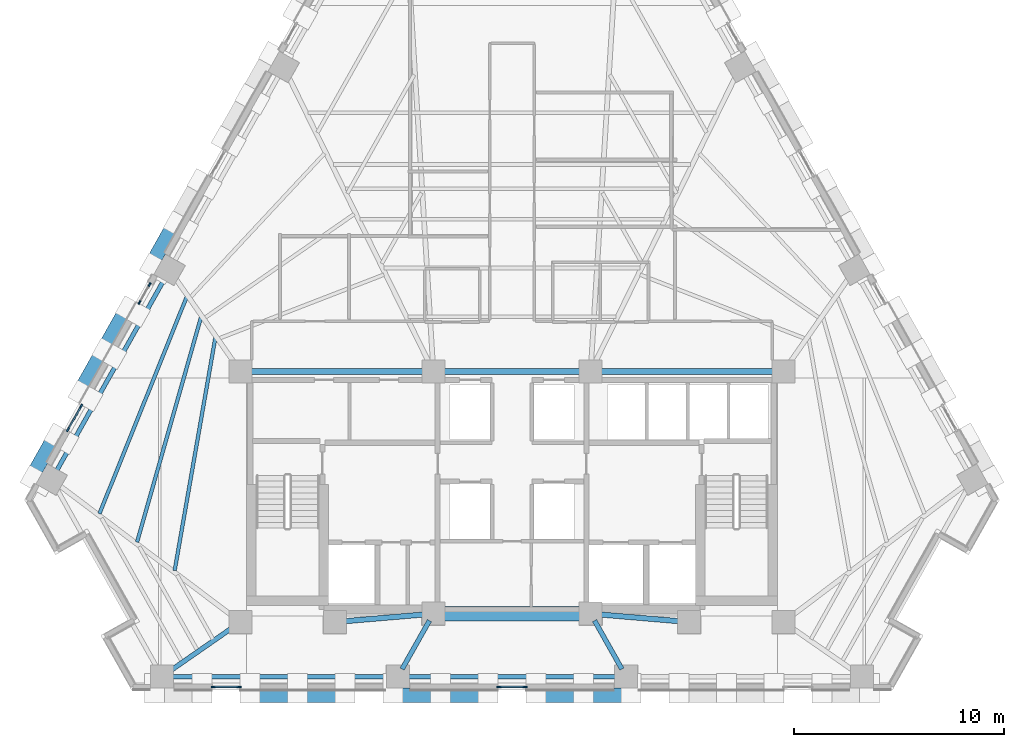
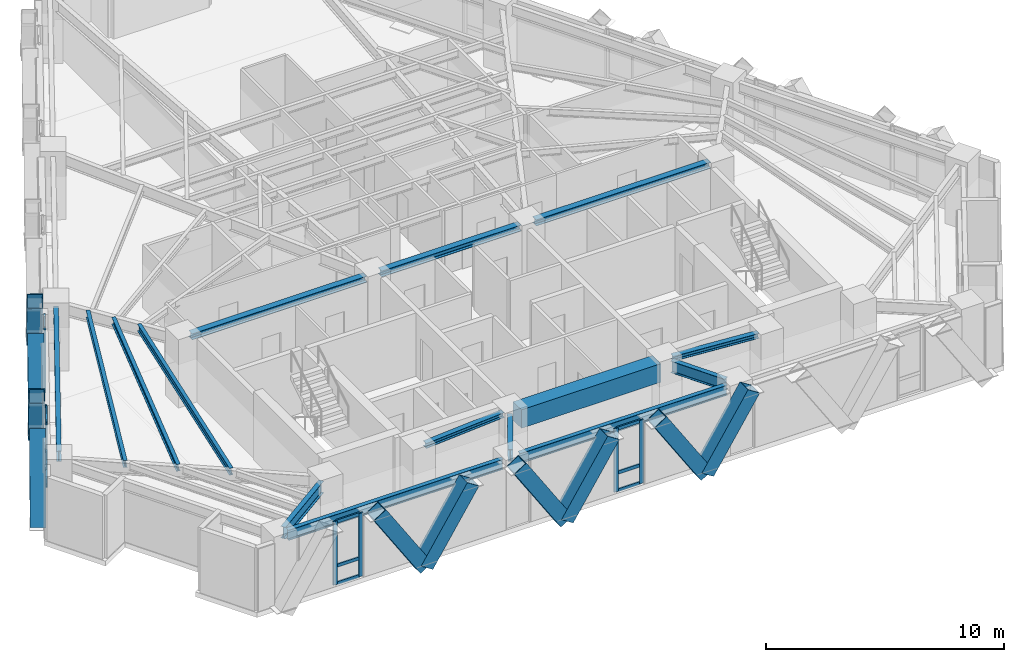
# One storey, part 2 of 13: 27 members, 15 beams, 4 elements without a shape of their own.
"""IFC4 building model written with IfcOpenShell, lengths in metres."""

import ifcopenshell
import ifcopenshell.guid

model = None  # the IFC model being written
_history = None  # IfcOwnerHistory: only IFC2X3 demands one
_inside = {}  # id of a spatial element -> (the spatial element, [elements in it])
_under = {}  # id of a project, library or spatial element -> (it, [spatial elements below it])
_declared = {}  # id of a project -> (the project, [libraries it declares])
_typed = {}  # id of a type object -> (the type object, [elements of that type])
_made_of = {}  # id of a material, layer set ... -> (it, [elements and type objects made of it])


def new_model(schema):
    """Start an empty IFC model of exactly this schema.

    Asked for "IFC4X3", IfcOpenShell would pick the latest addendum, in which some entities
    have other attributes; the version numbers below select the first issue.
    IFC2X3 requires an IfcOwnerHistory on every rooted entity: one is made here for all.
    """
    global model, _history
    if schema == "IFC4X3":
        model = ifcopenshell.file(schema_version=(4, 3, 0, 0))
    else:
        model = ifcopenshell.file(schema=schema)
    _inside.clear()
    _under.clear()
    _declared.clear()
    _typed.clear()
    _made_of.clear()
    _history = None
    if model.schema == "IFC2X3":
        org = make("IfcOrganization", Name="unknown")
        user = make(
            "IfcPersonAndOrganization",
            ThePerson=make("IfcPerson", FamilyName="unknown"),
            TheOrganization=org,
        )
        app = make(
            "IfcApplication",
            ApplicationDeveloper=org,
            Version="unknown",
            ApplicationFullName="unknown",
            ApplicationIdentifier="unknown",
        )
        _history = make(
            "IfcOwnerHistory",
            OwningUser=user,
            OwningApplication=app,
            ChangeAction="ADDED",
            CreationDate=0,
        )
    return model


def make(cls, **values):
    """One entity of the class cls with the attributes given. An attribute that is None is left unset."""
    return model.create_entity(
        cls, **{name: value for name, value in values.items() if value is not None}
    )


def rooted(cls, **values):
    """An entity with a GlobalId (a new one), such as an element, a storey or a relation."""
    return make(cls, GlobalId=ifcopenshell.guid.new(), OwnerHistory=_history, **values)


def si_unit(unit_type, name, prefix=None):
    """IfcSIUnit, for example si_unit("LENGTHUNIT", "METRE", prefix="MILLI")."""
    return make("IfcSIUnit", UnitType=unit_type, Prefix=prefix, Name=name)


def assignment(units):
    """IfcUnitAssignment: the units of a project."""
    return None if units is None else make("IfcUnitAssignment", Units=units)


def point(xyz):
    """IfcCartesianPoint."""
    return None if xyz is None else make("IfcCartesianPoint", Coordinates=xyz)


def direction(xyz):
    """IfcDirection."""
    return None if xyz is None else make("IfcDirection", DirectionRatios=xyz)


def frame(location, z_axis=None, x_axis=None):
    """IfcAxis2Placement3D, a coordinate frame: its origin and axes. An axis left out is left unset."""
    return make(
        "IfcAxis2Placement3D",
        Location=point(location),
        Axis=direction(z_axis),
        RefDirection=direction(x_axis),
    )


def frame_2d(location, x_axis=None):
    """IfcAxis2Placement2D, a coordinate frame in the plane: its origin and x axis."""
    return make(
        "IfcAxis2Placement2D", Location=point(location), RefDirection=direction(x_axis)
    )


def origin():
    """The frame at (0, 0, 0) with its axes left unset."""
    return frame((0.0, 0.0, 0.0))


def origin_2d():
    """The frame at (0, 0) in the plane with its x axis left unset."""
    return frame_2d((0.0, 0.0))


def place(relative_to, where):
    """IfcLocalPlacement: puts the frame where relative to a parent placement (None: the world)."""
    return make(
        "IfcLocalPlacement", PlacementRelTo=relative_to, RelativePlacement=where
    )


def context(
    kind, dimensions, precision=None, world=None, true_north=None, identifier=None
):
    """IfcGeometricRepresentationContext, for example the 3D "Model" context."""
    return make(
        "IfcGeometricRepresentationContext",
        ContextIdentifier=identifier,
        ContextType=kind,
        CoordinateSpaceDimension=dimensions,
        Precision=precision,
        WorldCoordinateSystem=world,
        TrueNorth=true_north,
    )


def subcontext(parent, identifier, kind, view, scale=None):
    """IfcGeometricRepresentationSubContext, for example "Body" below "Model"."""
    return make(
        "IfcGeometricRepresentationSubContext",
        ContextIdentifier=identifier,
        ContextType=kind,
        ParentContext=parent,
        TargetScale=scale,
        TargetView=view,
    )


def project(units=None, contexts=None):
    """IfcProject with its units and contexts."""
    return rooted(
        "IfcProject",
        Name="project",
        RepresentationContexts=contexts,
        UnitsInContext=assignment(units),
    )


def spatial(cls, under=None, at=None, **own):
    """A site, building, storey or space (cls), placed at a placement, below another one or the project."""
    s = rooted(cls, ObjectPlacement=at, **own)
    if under is not None:
        _under.setdefault(under.id(), (under, []))[1].append(s)
    return s


def profile(cls, at=None, kind="AREA", **sizes):
    """A parametric profile (cls). Its sizes go by their IFC names, for example OverallWidth=200.0."""
    return make(cls, ProfileType=kind, Position=at, **sizes)


def rectangle(**sizes):
    """IfcRectangleProfileDef."""
    return profile("IfcRectangleProfileDef", **sizes)


def hollow_rectangle(**sizes):
    """IfcRectangleHollowProfileDef."""
    return profile("IfcRectangleHollowProfileDef", **sizes)


def i_section(**sizes):
    """IfcIShapeProfileDef."""
    return profile("IfcIShapeProfileDef", **sizes)


def extrude(swept, where, along, depth):
    """IfcExtrudedAreaSolid: the profile swept, set in the frame where, extruded along a direction by depth."""
    return make(
        "IfcExtrudedAreaSolid",
        SweptArea=swept,
        Position=where,
        ExtrudedDirection=direction(along),
        Depth=depth,
    )


def shape(context_of_items, identifier, shape_type, items):
    """IfcShapeRepresentation: the items that make up one representation, for example the "Body"."""
    return make(
        "IfcShapeRepresentation",
        ContextOfItems=context_of_items,
        RepresentationIdentifier=identifier,
        RepresentationType=shape_type,
        Items=items,
    )


def material(Name=None, Category=None):
    """IfcMaterial."""
    return make("IfcMaterial", Name=Name, Category=Category)


def material_profile(
    of_material, cross_section, Name=None, Category=None, Priority=None
):
    """IfcMaterialProfile: a cross section and its material."""
    return make(
        "IfcMaterialProfile",
        Name=Name,
        Material=of_material,
        Profile=cross_section,
        Priority=Priority,
        Category=Category,
    )


def profile_set(profiles, Name=None, composite=None):
    """IfcMaterialProfileSet."""
    return make(
        "IfcMaterialProfileSet",
        Name=Name,
        MaterialProfiles=profiles,
        CompositeProfile=composite,
    )


def made_of(thing, what):
    """Note that an element or type object is made of a material, layer set ...; save() writes the relation."""
    if what is not None:
        _made_of.setdefault(what.id(), (what, []))[1].append(thing)
    return thing


def type_object(cls, material=None, **own):
    """A type object (cls), such as IfcWallType, which elements share."""
    return made_of(rooted(cls, **own), material)


def element(
    cls,
    number,
    at=None,
    inside=None,
    cuts=None,
    type_object=None,
    material=None,
    context=None,
    identifier="Body",
    shape_type=None,
    held_by="IfcProductDefinitionShape",
    body=None,
    shapes=None,
    **own,
):
    """One element of the class cls, such as IfcWall. Its Tag is "e" and its number.

    at: its placement. inside: the storey or other place that contains it. cuts: it is an
    opening in that element (IfcRelVoidsElement). A single representation is given by context,
    identifier, shape_type and body (its items); several are given by shapes. held_by: the class
    of the entity that holds the representations. save() writes the other relations.
    """
    e = rooted(cls, Tag="e%d" % number, ObjectPlacement=at, **own)
    if body is not None:
        shapes = [shape(context, identifier, shape_type, body)]
    if shapes is not None:
        e.Representation = make(held_by, Representations=shapes)
    if inside is not None:
        _inside.setdefault(inside.id(), (inside, []))[1].append(e)
    if cuts is not None:
        rooted(
            "IfcRelVoidsElement", RelatingBuildingElement=cuts, RelatedOpeningElement=e
        )
    if type_object is not None:
        _typed.setdefault(type_object.id(), (type_object, []))[1].append(e)
    return made_of(e, material)


def aggregate(whole, parts):
    """IfcRelAggregates: a whole, such as a stair, and the parts it consists of."""
    return rooted("IfcRelAggregates", RelatingObject=whole, RelatedObjects=parts)


def save(model, path):
    """Write the relations noted so far, then the file.

    IfcRelAggregates (storeys below a building ...), IfcRelContainedInSpatialStructure (elements
    in a storey), IfcRelDefinesByType, IfcRelAssociatesMaterial and IfcRelDeclares: one each for
    every whole, place, type object, material and project.
    """
    for whole, parts in _under.values():
        aggregate(whole, parts)
    for where, things in _inside.values():
        rooted(
            "IfcRelContainedInSpatialStructure",
            RelatedElements=things,
            RelatingStructure=where,
        )
    for kind, things in _typed.values():
        rooted("IfcRelDefinesByType", RelatedObjects=things, RelatingType=kind)
    for what, things in _made_of.values():
        rooted("IfcRelAssociatesMaterial", RelatedObjects=things, RelatingMaterial=what)
    for by, libraries in _declared.values():
        rooted("IfcRelDeclares", RelatingContext=by, RelatedDefinitions=libraries)
    model.write(path)


model = new_model("IFC4")

# Units and contexts
model_context = context("Model", 3, precision=1e-05, world=origin(), true_north=direction((0.0, 1.0)))
body_context = subcontext(model_context, "Body", "Model", "MODEL_VIEW")
ifc_project = project(units=[si_unit("LENGTHUNIT", "METRE"), si_unit("AREAUNIT", "SQUARE_METRE"), si_unit("VOLUMEUNIT", "CUBIC_METRE"), si_unit("PLANEANGLEUNIT", "RADIAN"), si_unit("MASSUNIT", "GRAM", prefix="KILO")], contexts=[model_context])

# Site, building, storey
site_placement = place(None, origin())
site = spatial("IfcSite", under=ifc_project, at=site_placement, CompositionType="ELEMENT")
building_placement = place(site_placement, origin())
building = spatial("IfcBuilding", under=site, at=building_placement, Name="Quenlor Broadcast Tower", CompositionType="ELEMENT")
storey_placement = place(building_placement, frame((0.0, 0.0, 109.0)))
storey = spatial("IfcBuildingStorey", under=building, at=storey_placement, Name="L29", CompositionType="ELEMENT", Elevation=109.0)

# Curtain wall, members
ifc_material_1 = material(Name="Architectural Terracotta and Low-E Glazing", Category="masonry")
curtain_wall_type = type_object("IfcCurtainWallType", Name="Unitised Terracotta Curtain Wall System Z2", PredefinedType="NOTDEFINED", material=ifc_material_1)
curtain_wall_1_placement = place(storey_placement, origin())
curtain_wall_1 = element("IfcCurtainWall", 1, at=curtain_wall_1_placement, inside=storey, type_object=curtain_wall_type, Name="L29 Curtain Wall CW2 (L29-SC-G1)", PredefinedType="NOTDEFINED")
ifc_material_2 = material(Name="Aluminium 6063-T6", Category="aluminium")
ifc_material_profile_1 = material_profile(ifc_material_2, rectangle(XDim=0.074951171875, YDim=0.199951171875, at=origin_2d()))
ifc_profile_set_1 = profile_set([ifc_material_profile_1], Name="Aluminium 6063-T6 MULL75x200")
member_type_1 = type_object("IfcMemberType", Name="CW2 Aluminium Mullion MULL_CW2", PredefinedType="MULLION", material=ifc_profile_set_1)
member_1_placement = place(storey_placement, frame((-13.01611328125, -19.840087890625, 0.0), z_axis=(0.0, 0.0, 1.0), x_axis=(0.0, -1.0, 0.0)))
member_1 = element("IfcMember", 2, at=member_1_placement, type_object=member_type_1, Name="CW2 mullion 1", PredefinedType="MULLION", context=body_context, shape_type="SweptSolid", body=[
    extrude(rectangle(XDim=0.074951171875, YDim=0.199951171875, at=origin_2d()), origin(), (0.0, 0.0, 1.0), 3.25),
])
member_2_placement = place(storey_placement, frame((-14.254150390625, -19.840087890625, 0.0), z_axis=(0.0, 0.0, 1.0), x_axis=(0.0, -1.0, 0.0)))
member_2 = element("IfcMember", 3, at=member_2_placement, type_object=member_type_1, Name="CW2 mullion 2", PredefinedType="MULLION", context=body_context, shape_type="SweptSolid", body=[
    extrude(rectangle(XDim=0.074951171875, YDim=0.199951171875, at=origin_2d()), origin(), (0.0, 0.0, 1.0), 3.25),
])

curtain_wall_2_placement = place(storey_placement, origin())
curtain_wall_2 = element("IfcCurtainWall", 4, at=curtain_wall_2_placement, inside=storey, type_object=curtain_wall_type, Name="L29 Curtain Wall CW2 (L29-S-G1)", PredefinedType="NOTDEFINED")
member_3_placement = place(storey_placement, frame((0.618896484375, -19.840087890625, 0.0), z_axis=(0.0, 0.0, 1.0), x_axis=(0.0, -1.0, 0.0)))
member_3 = element("IfcMember", 5, at=member_3_placement, type_object=member_type_1, Name="CW2 mullion 1", PredefinedType="MULLION", context=body_context, shape_type="SweptSolid", body=[
    extrude(rectangle(XDim=0.074951171875, YDim=0.199951171875, at=origin_2d()), origin(), (0.0, 0.0, 1.0), 3.25),
])
member_4_placement = place(storey_placement, frame((-0.618896484375, -19.840087890625, 0.0), z_axis=(0.0, 0.0, 1.0), x_axis=(0.0, -1.0, 0.0)))
member_4 = element("IfcMember", 6, at=member_4_placement, type_object=member_type_1, Name="CW2 mullion 2", PredefinedType="MULLION", context=body_context, shape_type="SweptSolid", body=[
    extrude(rectangle(XDim=0.074951171875, YDim=0.199951171875, at=origin_2d()), origin(), (0.0, 0.0, 1.0), 3.25),
])

curtain_wall_3_placement = place(storey_placement, origin())
curtain_wall_3 = element("IfcCurtainWall", 7, at=curtain_wall_3_placement, inside=storey, type_object=curtain_wall_type, Name="L29 Curtain Wall CW2 (L29-NWA-G1)", PredefinedType="NOTDEFINED")
member_5_placement = place(storey_placement, frame((-21.177734375, -7.57568359375, 0.0), z_axis=(0.0, 0.0, 1.0), x_axis=(-0.871565749621, 0.490278639232, 0.0)))
member_5 = element("IfcMember", 8, at=member_5_placement, type_object=member_type_1, Name="CW2 mullion 1", PredefinedType="MULLION", context=body_context, shape_type="SweptSolid", body=[
    extrude(rectangle(XDim=0.074951171875, YDim=0.199951171875, at=origin_2d()), origin(), (0.0, 0.0, 1.0), 3.25),
])
member_6_placement = place(storey_placement, frame((-20.545654296875, -6.451904296875, 0.0), z_axis=(0.0, 0.0, 1.0), x_axis=(-0.871565749621, 0.490278639232, 0.0)))
member_6 = element("IfcMember", 9, at=member_6_placement, type_object=member_type_1, Name="CW2 mullion 2", PredefinedType="MULLION", context=body_context, shape_type="SweptSolid", body=[
    extrude(rectangle(XDim=0.074951171875, YDim=0.199951171875, at=origin_2d()), origin(), (0.0, 0.0, 1.0), 3.25),
])

curtain_wall_4_placement = place(storey_placement, origin())
curtain_wall_4 = element("IfcCurtainWall", 10, at=curtain_wall_4_placement, inside=storey, type_object=curtain_wall_type, Name="L29 Curtain Wall CW2 (L29-NWA-G2)", PredefinedType="NOTDEFINED")
member_7_placement = place(storey_placement, frame((-17.7646484375, -1.508056640625, 0.0), z_axis=(0.0, 0.0, 1.0), x_axis=(-0.871580587336, 0.490252261371, 0.0)))
member_7 = element("IfcMember", 11, at=member_7_placement, type_object=member_type_1, Name="CW2 mullion 1", PredefinedType="MULLION", context=body_context, shape_type="SweptSolid", body=[
    extrude(rectangle(XDim=0.074951171875, YDim=0.199951171875, at=origin_2d()), origin(), (0.0, 0.0, 1.0), 3.25),
])
member_8_placement = place(storey_placement, frame((-17.282958984375, -0.651611328125, 0.0), z_axis=(0.0, 0.0, 1.0), x_axis=(-0.871580587336, 0.490252261371, 0.0)))
member_8 = element("IfcMember", 12, at=member_8_placement, type_object=member_type_1, Name="CW2 mullion 2", PredefinedType="MULLION", context=body_context, shape_type="SweptSolid", body=[
    extrude(rectangle(XDim=0.074951171875, YDim=0.199951171875, at=origin_2d()), origin(), (0.0, 0.0, 1.0), 3.25),
])
aggregate(curtain_wall_4, [member_7, member_8])

# Member
ifc_material_3 = material(Name="Aluminium 6063-T6", Category="aluminium")
ifc_material_profile_2 = material_profile(ifc_material_3, rectangle(XDim=0.074951171875, YDim=0.1650390625, at=origin_2d()))
ifc_profile_set_2 = profile_set([ifc_material_profile_2], Name="Aluminium 6063-T6 TRAN75x165")
member_type_2 = type_object("IfcMemberType", Name="CW2 Aluminium Transom TRAN_CW2", PredefinedType="USERDEFINED", material=ifc_profile_set_2)
member_9_placement = place(storey_placement, frame((-13.0537109375, -19.840087890625, 0.03759765625), z_axis=(-1.0, 0.0, 0.0), x_axis=(0.0, -1.0, 0.0)))
member_9 = element("IfcMember", 13, at=member_9_placement, type_object=member_type_2, Name="CW2 transom 1.1", ObjectType="TRANSOM", PredefinedType="USERDEFINED", context=body_context, shape_type="SweptSolid", body=[
    extrude(rectangle(XDim=0.074951171875, YDim=0.1650390625, at=origin_2d()), origin(), (0.0, 0.0, 1.0), 1.1630859375),
])

member_10_placement = place(storey_placement, frame((-13.0537109375, -19.840087890625, 0.949951171875), z_axis=(-1.0, 0.0, 0.0), x_axis=(0.0, -1.0, 0.0)))
member_10 = element("IfcMember", 14, at=member_10_placement, type_object=member_type_2, Name="CW2 transom 1.2", ObjectType="TRANSOM", PredefinedType="USERDEFINED", context=body_context, shape_type="SweptSolid", body=[
    extrude(rectangle(XDim=0.074951171875, YDim=0.1650390625, at=origin_2d()), origin(), (0.0, 0.0, 1.0), 1.1630859375),
])

member_11_placement = place(storey_placement, frame((-13.0537109375, -19.840087890625, 3.21240234375), z_axis=(-1.0, 0.0, 0.0), x_axis=(0.0, -1.0, 0.0)))
member_11 = element("IfcMember", 15, at=member_11_placement, type_object=member_type_2, Name="CW2 transom 1.3", ObjectType="TRANSOM", PredefinedType="USERDEFINED", context=body_context, shape_type="SweptSolid", body=[
    extrude(rectangle(XDim=0.074951171875, YDim=0.1650390625, at=origin_2d()), origin(), (0.0, 0.0, 1.0), 1.1630859375),
])

aggregate(curtain_wall_1, [member_1, member_2, member_9, member_10, member_11])

member_12_placement = place(storey_placement, frame((0.58154296875, -19.840087890625, 0.03759765625), z_axis=(-1.0, 0.0, 0.0), x_axis=(0.0, -1.0, 0.0)))
member_12 = element("IfcMember", 16, at=member_12_placement, type_object=member_type_2, Name="CW2 transom 1.1", ObjectType="TRANSOM", PredefinedType="USERDEFINED", context=body_context, shape_type="SweptSolid", body=[
    extrude(rectangle(XDim=0.074951171875, YDim=0.1650390625, at=origin_2d()), origin(), (0.0, 0.0, 1.0), 1.1630859375),
])

member_13_placement = place(storey_placement, frame((0.58154296875, -19.840087890625, 0.949951171875), z_axis=(-1.0, 0.0, 0.0), x_axis=(0.0, -1.0, 0.0)))
member_13 = element("IfcMember", 17, at=member_13_placement, type_object=member_type_2, Name="CW2 transom 1.2", ObjectType="TRANSOM", PredefinedType="USERDEFINED", context=body_context, shape_type="SweptSolid", body=[
    extrude(rectangle(XDim=0.074951171875, YDim=0.1650390625, at=origin_2d()), origin(), (0.0, 0.0, 1.0), 1.1630859375),
])

member_14_placement = place(storey_placement, frame((0.58154296875, -19.840087890625, 3.21240234375), z_axis=(-1.0, 0.0, 0.0), x_axis=(0.0, -1.0, 0.0)))
member_14 = element("IfcMember", 18, at=member_14_placement, type_object=member_type_2, Name="CW2 transom 1.3", ObjectType="TRANSOM", PredefinedType="USERDEFINED", context=body_context, shape_type="SweptSolid", body=[
    extrude(rectangle(XDim=0.074951171875, YDim=0.1650390625, at=origin_2d()), origin(), (0.0, 0.0, 1.0), 1.1630859375),
])

aggregate(curtain_wall_2, [member_3, member_4, member_12, member_13, member_14])

member_15_placement = place(storey_placement, frame((-21.159423828125, -7.54296875, 0.03759765625), z_axis=(0.490347143438, 0.871527210661, 0.0), x_axis=(-0.871527210661, 0.490347143438, 0.0)))
member_15 = element("IfcMember", 19, at=member_15_placement, type_object=member_type_2, Name="CW2 transom 1.1", ObjectType="TRANSOM", PredefinedType="USERDEFINED", context=body_context, shape_type="SweptSolid", body=[
    extrude(rectangle(XDim=0.074951171875, YDim=0.1650390625, at=origin_2d()), origin(), (0.0, 0.0, 1.0), 1.21435546875),
])

member_16_placement = place(storey_placement, frame((-21.159423828125, -7.54296875, 0.949951171875), z_axis=(0.490347143438, 0.871527210661, 0.0), x_axis=(-0.871527210661, 0.490347143438, 0.0)))
member_16 = element("IfcMember", 20, at=member_16_placement, type_object=member_type_2, Name="CW2 transom 1.2", ObjectType="TRANSOM", PredefinedType="USERDEFINED", context=body_context, shape_type="SweptSolid", body=[
    extrude(rectangle(XDim=0.074951171875, YDim=0.1650390625, at=origin_2d()), origin(), (0.0, 0.0, 1.0), 1.21435546875),
])

member_17_placement = place(storey_placement, frame((-21.159423828125, -7.54296875, 3.21240234375), z_axis=(0.490347143438, 0.871527210661, 0.0), x_axis=(-0.871527210661, 0.490347143438, 0.0)))
member_17 = element("IfcMember", 21, at=member_17_placement, type_object=member_type_2, Name="CW2 transom 1.3", ObjectType="TRANSOM", PredefinedType="USERDEFINED", context=body_context, shape_type="SweptSolid", body=[
    extrude(rectangle(XDim=0.074951171875, YDim=0.1650390625, at=origin_2d()), origin(), (0.0, 0.0, 1.0), 1.21435546875),
])

aggregate(curtain_wall_3, [member_5, member_6, member_15, member_16, member_17])

# Beams
ifc_material_4 = material(Name="Concrete C50/60", Category="concrete")
ifc_material_profile_3 = material_profile(ifc_material_4, rectangle(XDim=0.699951171875, YDim=0.949951171875, at=origin_2d()))
ifc_profile_set_3 = profile_set([ifc_material_profile_3], Name="Concrete C50/60 RCB700x950")
beam_type_1 = type_object("IfcBeamType", Name="Core Coupling Beam Concrete C50/60 700x950", PredefinedType="BEAM", material=ifc_profile_set_3)
beam_1_placement = place(storey_placement, frame((-3.389892578125, -16.35009765625, 2.77490234375), z_axis=(1.0, 0.0, 0.0), x_axis=(0.0, 1.0, 0.0)))
element("IfcBeam", 22, at=beam_1_placement, inside=storey, type_object=beam_type_1, Name="L29 Core Coupling Beam 6", PredefinedType="BEAM", context=body_context, shape_type="SweptSolid", body=[
    extrude(rectangle(XDim=0.699951171875, YDim=0.949951171875, at=origin_2d()), origin(), (0.0, 0.0, 1.0), 6.77978515625),
])
ifc_material_5 = material(Name="Steel S355", Category="steel")
ifc_material_profile_4 = material_profile(ifc_material_5, i_section(OverallWidth=0.304931640625, OverallDepth=0.30810546875, WebThickness=0.010009765625, FlangeThickness=0.015380859375, FilletRadius=0.0166015625, at=origin_2d()))
ifc_profile_set_4 = profile_set([ifc_material_profile_4], Name="Steel S355 310UC96.8")
beam_type_2 = type_object("IfcBeamType", Name="Core Header Beam Steel S355 310UC96.8", PredefinedType="BEAM", material=ifc_profile_set_4)
beam_2_placement = place(storey_placement, frame((-3.389892578125, -4.800048828125, 3.095947265625), z_axis=(1.0, 0.0, 0.0), x_axis=(0.0, 1.0, 0.0)))
element("IfcBeam", 23, at=beam_2_placement, inside=storey, type_object=beam_type_2, Name="L29 Core Header Beam 2", PredefinedType="BEAM", context=body_context, shape_type="SweptSolid", body=[
    extrude(i_section(OverallWidth=0.304931640625, OverallDepth=0.30810546875, WebThickness=0.010009765625, FlangeThickness=0.015380859375, FilletRadius=0.0166015625, at=origin_2d()), origin(), (0.0, 0.0, 1.0), 6.77978515625),
])
ifc_material_6 = material(Name="Steel S355", Category="steel")
ifc_material_profile_5 = material_profile(ifc_material_6, i_section(OverallWidth=0.25390625, OverallDepth=0.25390625, WebThickness=0.008544921875, FlangeThickness=0.01416015625, FilletRadius=0.013916015625, at=origin_2d()))
ifc_profile_set_5 = profile_set([ifc_material_profile_5], Name="Steel S355 250UC72.9")
beam_type_3 = type_object("IfcBeamType", Name="Core Opening Lintel Beam Steel S355 250UC72.9", PredefinedType="LINTEL", material=ifc_profile_set_5)
for number, where, z_axis, x_axis, name in (
    (24, (-8.09130859375, -16.719482421875, 3.123046875), (0.996399763903, 0.084779186679, 0.0), (-0.084779186679, 0.996399763903, 0.0), "L29 Core Opening Lintel Beam 4"),
    (25, (4.108642578125, -16.380615234375, 3.123046875), (0.996399763903, -0.084779186679, 0.0), (0.084779186679, 0.996399763903, 0.0), "L29 Core Opening Lintel Beam 5"),
):
    element("IfcBeam", number, at=place(storey_placement, frame(where, z_axis=z_axis, x_axis=x_axis)), inside=storey, type_object=beam_type_3, Name=name, PredefinedType="LINTEL", context=body_context, shape_type="SweptSolid", body=[
        extrude(i_section(OverallWidth=0.25390625, OverallDepth=0.25390625, WebThickness=0.008544921875, FlangeThickness=0.01416015625, FilletRadius=0.013916015625, at=origin_2d()), origin(), (0.0, 0.0, 1.0), 3.9970703125),
    ])
ifc_material_7 = material(Name="Steel S355", Category="steel")
ifc_material_profile_6 = material_profile(ifc_material_7, i_section(OverallWidth=0.306884765625, OverallDepth=0.314697265625, WebThickness=0.011962890625, FlangeThickness=0.018798828125, FilletRadius=0.0166015625, at=origin_2d()))
ifc_profile_set_6 = profile_set([ifc_material_profile_6], Name="Steel S355 310UC118")
beam_type_4 = type_object("IfcBeamType", Name="Core Tie Beam Steel S355 310UC118", PredefinedType="BEAM", material=ifc_profile_set_6)
for number, where, z_axis, x_axis, name in (
    (26, (-12.590087890625, -4.800048828125, 3.0927734375), (1.0, 0.0, 0.0), (0.0, 1.0, 0.0), "L29 Core Tie Beam 1"),
    (27, (4.110107421875, -4.800048828125, 3.0927734375), (1.0, 0.0, 0.0), (0.0, 1.0, 0.0), "L29 Core Tie Beam 3"),
):
    element("IfcBeam", number, at=place(storey_placement, frame(where, z_axis=z_axis, x_axis=x_axis)), inside=storey, type_object=beam_type_4, Name=name, PredefinedType="BEAM", context=body_context, shape_type="SweptSolid", body=[
        extrude(i_section(OverallWidth=0.306884765625, OverallDepth=0.314697265625, WebThickness=0.011962890625, FlangeThickness=0.018798828125, FilletRadius=0.0166015625, at=origin_2d()), origin(), (0.0, 0.0, 1.0), 8.47998046875),
    ])

# Members
ifc_material_8 = material(Name="Steel S355", Category="steel")
ifc_material_profile_7 = material_profile(ifc_material_8, hollow_rectangle(XDim=0.679931640625, YDim=0.679931640625, WallThickness=0.030029296875, at=origin_2d()))
ifc_profile_set_7 = profile_set([ifc_material_profile_7], Name="Steel S355 RHS680x680x30")
member_type_3 = type_object("IfcMemberType", Name="Perimeter Diagonal Lattice Brace Z2 Steel S355 RHS680x30", PredefinedType="BRACE", material=ifc_profile_set_7)
for number, where, z_axis, x_axis, name in (
    (28, (3.42236328125, -20.235107421875, -0.1201171875), (0.539968035679, 0.0, 0.841685523485), (0.0, 1.0, 0.0), "L29 Perimeter Diamond Lattice S-C2B"),
    (29, (3.395263671875, -20.235107421875, -0.1201171875), (-0.539968035679, 0.0, 0.841685523485), (0.0, -1.0, 0.0), "L29 Perimeter Diamond Lattice S-C3S"),
    (30, (-3.395263671875, -20.235107421875, -0.1201171875), (0.539968035679, 0.0, 0.841685523485), (0.0, 1.0, 0.0), "L29 Perimeter Diamond Lattice S-C3B"),
    (31, (-3.42236328125, -20.235107421875, -0.1201171875), (-0.539968035679, 0.0, 0.841685523485), (0.0, -1.0, 0.0), "L29 Perimeter Diamond Lattice S-C4S"),
    (32, (-10.212890625, -20.235107421875, -0.1201171875), (0.539968035679, 0.0, 0.841685523485), (0.0, 1.0, 0.0), "L29 Perimeter Diamond Lattice S-C4B"),
    (33, (-10.239990234375, -20.235107421875, -0.1201171875), (-0.539968035679, 0.0, 0.841685523485), (0.0, -1.0, 0.0), "L29 Perimeter Diamond Lattice S-C5S"),
):
    element("IfcMember", number, at=place(storey_placement, frame(where, z_axis=z_axis, x_axis=x_axis)), inside=storey, type_object=member_type_3, Name=name, PredefinedType="BRACE", context=body_context, shape_type="SweptSolid", body=[
        extrude(hollow_rectangle(XDim=0.679931640625, YDim=0.679931640625, WallThickness=0.030029296875, at=origin_2d()), origin(), (0.0, 0.0, 1.0), 4.158203125),
    ])
for number, where, z_axis, x_axis, name in (
    (34, (-22.90576171875, -9.841796875, -0.1201171875), (0.268696511206, 0.477585438485, 0.836489290913), (-0.871532878923, 0.490337068716, 0.0), "L29 Perimeter Diamond Lattice NW-C1S"),
    (35, (-19.506103515625, -3.79833984375, -0.1201171875), (-0.268696511206, -0.477585438485, 0.836489290913), (0.871532878923, -0.490337068716, 0.0), "L29 Perimeter Diamond Lattice NW-C1B"),
    (36, (-19.49267578125, -3.774169921875, -0.1201171875), (0.268696511206, 0.477585438485, 0.836489290913), (-0.871532878923, 0.490337068716, 0.0), "L29 Perimeter Diamond Lattice NW-C2S"),
    (37, (-16.093017578125, 2.269287109375, -0.1201171875), (-0.268696511206, -0.477585438485, 0.836489290913), (0.871532878923, -0.490337068716, 0.0), "L29 Perimeter Diamond Lattice NW-C2B"),
):
    element("IfcMember", number, at=place(storey_placement, frame(where, z_axis=z_axis, x_axis=x_axis)), inside=storey, type_object=member_type_3, Name=name, PredefinedType="BRACE", context=body_context, shape_type="SweptSolid", body=[
        extrude(hollow_rectangle(XDim=0.679931640625, YDim=0.679931640625, WallThickness=0.030029296875, at=origin_2d()), origin(), (0.0, 0.0, 1.0), 4.18408203125),
    ])

# Beams
ifc_material_9 = material(Name="Steel S355", Category="steel")
ifc_material_profile_8 = material_profile(ifc_material_9, i_section(OverallWidth=0.208984375, OverallDepth=0.5283203125, WebThickness=0.009521484375, FlangeThickness=0.01318359375, FilletRadius=0.013916015625, at=origin_2d()))
ifc_profile_set_8 = profile_set([ifc_material_profile_8], Name="Steel S355 530UB82.0")
beam_type_5 = type_object("IfcBeamType", Name="Perimeter Spandrel Beam Z2 Steel S355 530UB82.0", PredefinedType="SPANDREL", material=ifc_profile_set_8)
beam_3_placement = place(storey_placement, frame((-16.282470703125, -19.35009765625, 2.98583984375), z_axis=(1.0, 0.0, 0.0), x_axis=(0.0, 1.0, 0.0)))
element("IfcBeam", 38, at=beam_3_placement, inside=storey, type_object=beam_type_5, Name="L29 Spandrel Beam S1-S2", PredefinedType="SPANDREL", context=body_context, shape_type="SweptSolid", body=[
    extrude(i_section(OverallWidth=0.208984375, OverallDepth=0.5283203125, WebThickness=0.009521484375, FlangeThickness=0.01318359375, FilletRadius=0.013916015625, at=origin_2d()), origin(), (0.0, 0.0, 1.0), 10.42919921875),
])
beam_4_placement = place(storey_placement, frame((-5.033203125, -19.35009765625, 2.98583984375), z_axis=(1.0, 0.0, 0.0), x_axis=(0.0, 1.0, 0.0)))
element("IfcBeam", 39, at=beam_4_placement, inside=storey, type_object=beam_type_5, Name="L29 Spandrel Beam S2-S3", PredefinedType="SPANDREL", context=body_context, shape_type="SweptSolid", body=[
    extrude(i_section(OverallWidth=0.208984375, OverallDepth=0.5283203125, WebThickness=0.009521484375, FlangeThickness=0.01318359375, FilletRadius=0.013916015625, at=origin_2d()), origin(), (0.0, 0.0, 1.0), 10.06640625),
])
beam_5_placement = place(storey_placement, frame((-16.531005859375, -0.314453125, 2.98583984375), z_axis=(-0.490263415828, -0.871574313011, 0.0), x_axis=(0.871574313011, -0.490263415828, 0.0)))
element("IfcBeam", 40, at=beam_5_placement, inside=storey, type_object=beam_type_5, Name="L29 Spandrel Beam NW3-NW4", PredefinedType="SPANDREL", context=body_context, shape_type="SweptSolid", body=[
    extrude(i_section(OverallWidth=0.208984375, OverallDepth=0.5283203125, WebThickness=0.009521484375, FlangeThickness=0.01318359375, FilletRadius=0.013916015625, at=origin_2d()), origin(), (0.0, 0.0, 1.0), 10.65283203125),
])
ifc_material_10 = material(Name="Steel S355", Category="steel")
ifc_material_profile_9 = material_profile(ifc_material_10, i_section(OverallWidth=0.172119140625, OverallDepth=0.358642578125, WebThickness=0.008056640625, FlangeThickness=0.012939453125, FilletRadius=0.011474609375, at=origin_2d()))
ifc_profile_set_9 = profile_set([ifc_material_profile_9], Name="Steel S355 360UB56.7")
beam_type_6 = type_object("IfcBeamType", Name="Tower Composite Joist Z2-Z3 Steel S355 360UB56.7", PredefinedType="JOIST", material=ifc_profile_set_9)
beam_6_placement = place(storey_placement, frame((-16.087890625, -14.29345703125, 3.07080078125), z_axis=(0.172120396521, 0.985075920476, 0.0), x_axis=(-0.985075920476, 0.172120396521, 0.0)))
element("IfcBeam", 41, at=beam_6_placement, inside=storey, type_object=beam_type_6, Name="L29 Secondary Composite Joist 13", PredefinedType="JOIST", context=body_context, shape_type="SweptSolid", body=[
    extrude(i_section(OverallWidth=0.172119140625, OverallDepth=0.358642578125, WebThickness=0.008056640625, FlangeThickness=0.012939453125, FilletRadius=0.011474609375, at=origin_2d()), origin(), (0.0, 0.0, 1.0), 11.27783203125),
])
beam_7_placement = place(storey_placement, frame((-17.880615234375, -12.9365234375, 3.07080078125), z_axis=(0.273563993601, 0.96185380459, 0.0), x_axis=(-0.96185380459, 0.273563993601, 0.0)))
element("IfcBeam", 42, at=beam_7_placement, inside=storey, type_object=beam_type_6, Name="L29 Secondary Composite Joist 14", PredefinedType="JOIST", context=body_context, shape_type="SweptSolid", body=[
    extrude(i_section(OverallWidth=0.172119140625, OverallDepth=0.358642578125, WebThickness=0.008056640625, FlangeThickness=0.012939453125, FilletRadius=0.011474609375, at=origin_2d()), origin(), (0.0, 0.0, 1.0), 11.1484375),
])
beam_8_placement = place(storey_placement, frame((-19.673583984375, -11.580810546875, 3.07080078125), z_axis=(0.373180395983, 0.92775880058, 0.0), x_axis=(-0.92775880058, 0.373180395983, 0.0)))
element("IfcBeam", 43, at=beam_8_placement, inside=storey, type_object=beam_type_6, Name="L29 Secondary Composite Joist 15", PredefinedType="JOIST", context=body_context, shape_type="SweptSolid", body=[
    extrude(i_section(OverallWidth=0.172119140625, OverallDepth=0.358642578125, WebThickness=0.008056640625, FlangeThickness=0.012939453125, FilletRadius=0.011474609375, at=origin_2d()), origin(), (0.0, 0.0, 1.0), 11.143798828125),
])
ifc_material_11 = material(Name="Steel S355", Category="steel")
ifc_material_profile_10 = material_profile(ifc_material_11, i_section(OverallWidth=0.22802734375, OverallDepth=0.60205078125, WebThickness=0.010498046875, FlangeThickness=0.014892578125, FilletRadius=0.013916015625, at=origin_2d()))
ifc_profile_set_10 = profile_set([ifc_material_profile_10], Name="Steel S355 610UB101")
beam_type_7 = type_object("IfcBeamType", Name="Tower Primary Floor Beam Z2 Steel S355 610UB101", PredefinedType="BEAM", material=ifc_profile_set_10)
beam_9_placement = place(storey_placement, frame((-16.355712890625, -19.1162109375, 2.948974609375), z_axis=(0.821227395059, 0.570601056436, 0.0), x_axis=(-0.570601056436, 0.821227395059, 0.0)))
element("IfcBeam", 44, at=beam_9_placement, inside=storey, type_object=beam_type_7, Name="L29 Primary Radial Beam S1", PredefinedType="BEAM", context=body_context, shape_type="SweptSolid", body=[
    extrude(i_section(OverallWidth=0.22802734375, OverallDepth=0.60205078125, WebThickness=0.010498046875, FlangeThickness=0.014892578125, FilletRadius=0.013916015625, at=origin_2d()), origin(), (0.0, 0.0, 1.0), 3.766845703125),
])
for number, where, z_axis, x_axis, name in (
    (45, (-5.24169921875, -18.992919921875, 2.948974609375), (0.491526879548, 0.870862403989, 0.0), (-0.870862403989, 0.491526879548, 0.0), "L29 Primary Radial Beam S2"),
    (46, (5.24169921875, -18.992919921875, 2.948974609375), (-0.491526879548, 0.870862403989, 0.0), (-0.870862403989, -0.491526879548, 0.0), "L29 Primary Radial Beam S3"),
):
    element("IfcBeam", number, at=place(storey_placement, frame(where, z_axis=z_axis, x_axis=x_axis)), inside=storey, type_object=beam_type_7, Name=name, PredefinedType="BEAM", context=body_context, shape_type="SweptSolid", body=[
        extrude(i_section(OverallWidth=0.22802734375, OverallDepth=0.60205078125, WebThickness=0.010498046875, FlangeThickness=0.014892578125, FilletRadius=0.013916015625, at=origin_2d()), origin(), (0.0, 0.0, 1.0), 2.65478515625),
    ])

save(model, "model.ifc")
